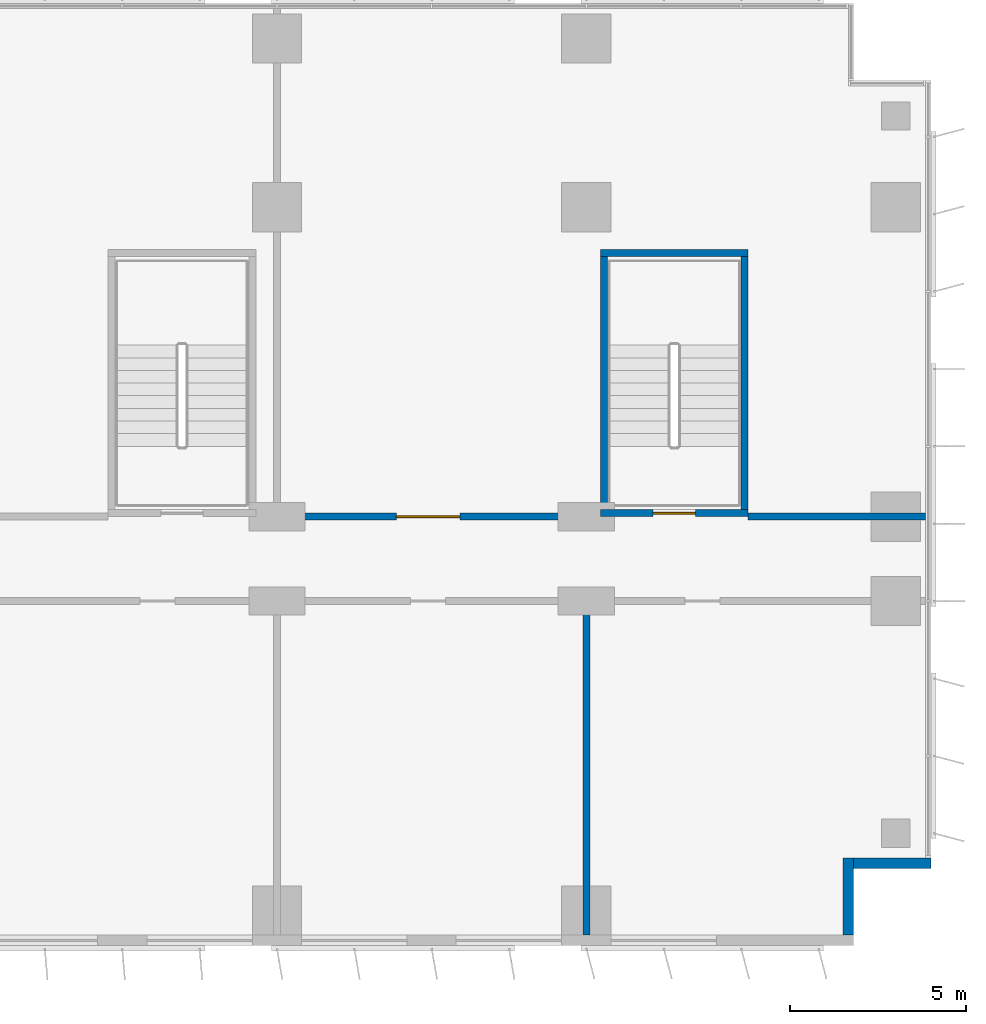
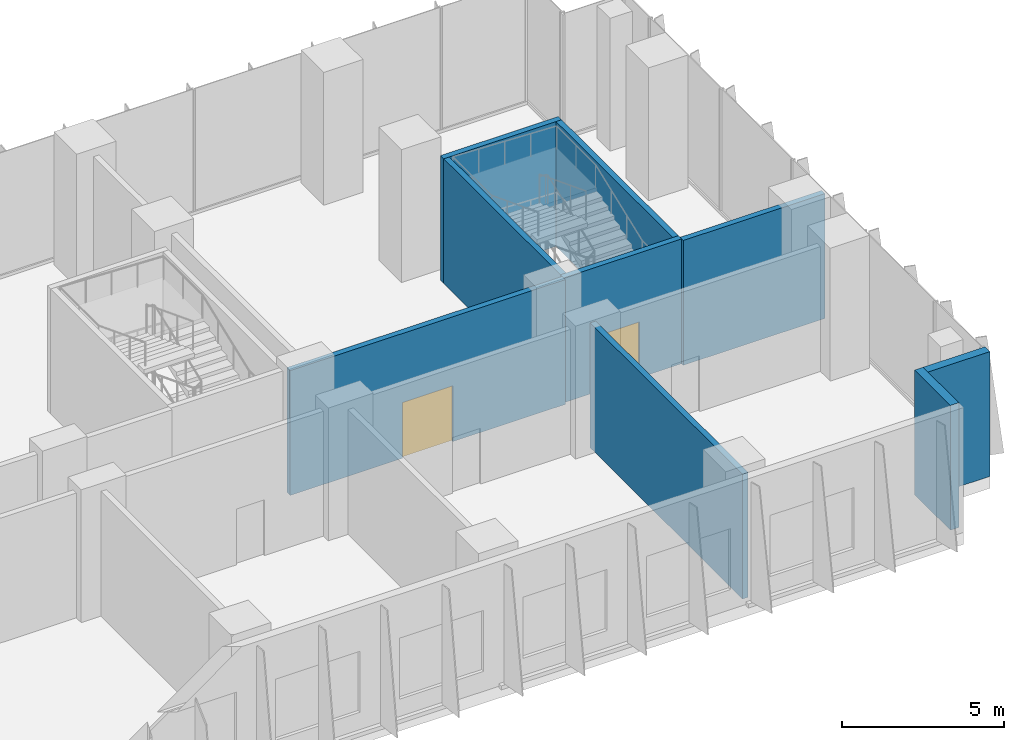
# One storey, part 15 of 23: 9 walls, 2 doors, 2 openings.
"""IFC4 building model written with IfcOpenShell, lengths in metres."""

from ifc_helpers import new_model, si_unit, direction, frame, frame_2d, origin, place, context, subcontext, project, spatial, rectangle, extrude, material, layer, layer_set, type_object, element, fill, save


model = new_model("IFC4")

# Units and contexts
model_context = context("Model", 3, precision=1e-05, world=origin(), true_north=direction((0.0, 1.0)))
body_context = subcontext(model_context, "Body", "Model", "MODEL_VIEW")
ifc_project = project(units=[si_unit("LENGTHUNIT", "METRE"), si_unit("AREAUNIT", "SQUARE_METRE"), si_unit("VOLUMEUNIT", "CUBIC_METRE"), si_unit("PLANEANGLEUNIT", "RADIAN"), si_unit("MASSUNIT", "GRAM", prefix="KILO")], contexts=[model_context])

# Site, building, storey
site_placement = place(None, origin())
site = spatial("IfcSite", under=ifc_project, at=site_placement, CompositionType="ELEMENT")
building_placement = place(site_placement, origin())
building = spatial("IfcBuilding", under=site, at=building_placement, Name="Kemantara Hotel Tower", CompositionType="ELEMENT")
storey_placement = place(building_placement, frame((0.0, 0.0, 71.0)))
storey = spatial("IfcBuildingStorey", under=building, at=storey_placement, Name="L16", CompositionType="ELEMENT", Elevation=71.0)

# Walls
ifc_material_1 = material(Name="Bronze anodised aluminium cladding on insulated steel stud wall", Category="steel")
ifc_layer_1 = layer(ifc_material_1, 0.300048828125)
ifc_layer_set_1 = layer_set([ifc_layer_1], Name="Bronze anodised aluminium cladding on insulated steel stud wall")
wall_type_1 = type_object("IfcWallType", Name="BRONZE METAL-CLAD EXTERNAL WALL 300", PredefinedType="STANDARD", material=ifc_layer_set_1)
for number, where, z_axis, x_axis, name in (
    (1, (78.85009765625, 0.300048828125, 0.0), (0.0, 0.0, 1.0), (0.0, 1.0, 0.0), "EXTERNAL WALL L16 T1-R02"),
    (2, (79.0, 2.35009765625, 0.0), (0.0, 0.0, 1.0), (1.0, 0.0, 0.0), "EXTERNAL WALL L16 T1-R03"),
):
    element("IfcWall", number, at=place(storey_placement, frame(where, z_axis=z_axis, x_axis=x_axis)), inside=storey, type_object=wall_type_1, Name=name, PredefinedType="STANDARD", context=body_context, shape_type="SweptSolid", body=[
        extrude(rectangle(XDim=2.199951171875, YDim=0.300048828125, at=frame_2d((1.10009765625, 0.0))), origin(), (0.0, 0.0, 1.0), 4.699951171875),
    ])

# Wall, opening, door
ifc_material_2 = material(Name="Concrete fc 40 MPa", Category="concrete")
ifc_layer_2 = layer(ifc_material_2, 0.199951171875)
ifc_layer_set_2 = layer_set([ifc_layer_2], Name="Concrete fc 40 MPa")
wall_type_2 = type_object("IfcWallType", Name="Concrete stair wall 200 mm", PredefinedType="SHEAR", material=ifc_layer_set_2)
wall_1_placement = place(storey_placement, frame((71.800048828125, 12.300048828125, 0.0), z_axis=(0.0, 0.0, 1.0), x_axis=(1.0, 0.0, 0.0)))
wall_1 = element("IfcWall", 3, at=wall_1_placement, inside=storey, type_object=wall_type_2, Name="Stair ST5 enclosure wall with door", PredefinedType="SHEAR", context=body_context, shape_type="SweptSolid", body=[
    extrude(rectangle(XDim=4.199951171875, YDim=0.199951171875, at=frame_2d((2.10009765625, 0.0))), origin(), (0.0, 0.0, 1.0), 4.699951171875),
])
opening_1_placement = place(wall_1_placement, frame((1.5, 0.0, 0.0)))
opening_1 = element("IfcOpeningElement", 4, at=opening_1_placement, cuts=wall_1, Name="Opening ST5-C", PredefinedType="OPENING", context=body_context, shape_type="SweptSolid", body=[
    extrude(rectangle(XDim=1.199951171875, YDim=2.10009765625, at=frame_2d((0.60009765625, 1.050048828125))), frame((0.0, 0.10986328125, 0.0), z_axis=(0.0, -1.0, 0.0), x_axis=(1.0, 0.0, 0.0)), (0.0, 0.0, 1.0), 0.219970703125),
])
ifc_material_3 = material(Name="Steel fire door", Category="steel")
door_type_1 = type_object("IfcDoorType", Name="Fire door FD90 1200 x 2100", OperationType="NOTDEFINED", PredefinedType="DOOR", material=ifc_material_3)
door_1_placement = place(opening_1_placement, origin())
door_1 = element("IfcDoor", 5, at=door_1_placement, inside=storey, type_object=door_type_1, Name="Stair ST5 door", OperationType="SINGLE_SWING_RIGHT", OverallHeight=2.10009765625, OverallWidth=1.199951171875, PredefinedType="DOOR", context=body_context, shape_type="SweptSolid", body=[
    extrude(rectangle(XDim=1.199951171875, YDim=2.10009765625, at=frame_2d((0.60009765625, 1.050048828125))), frame((0.0, 0.02490234375, 0.0), z_axis=(0.0, -1.0, 0.0), x_axis=(1.0, 0.0, 0.0)), (0.0, 0.0, 1.0), 0.050048828125),
])
fill(opening_1, door_1)

# Walls
wall_2_placement = place(storey_placement, frame((71.800048828125, 19.699951171875, 0.0), z_axis=(0.0, 0.0, 1.0), x_axis=(1.0, 0.0, 0.0)))
element("IfcWall", 6, at=wall_2_placement, inside=storey, type_object=wall_type_2, Name="Stair ST5 enclosure wall N", PredefinedType="SHEAR", context=body_context, shape_type="SweptSolid", body=[
    extrude(rectangle(XDim=4.199951171875, YDim=0.199951171875, at=frame_2d((2.10009765625, 0.0))), origin(), (0.0, 0.0, 1.0), 4.699951171875),
])
for number, where, z_axis, x_axis, name in (
    (7, (71.89990234375, 12.39990234375, 0.0), (0.0, 0.0, 1.0), (0.0, 1.0, 0.0), "Stair ST5 enclosure wall W"),
    (8, (75.89990234375, 12.39990234375, 0.0), (0.0, 0.0, 1.0), (0.0, 1.0, 0.0), "Stair ST5 enclosure wall E"),
):
    element("IfcWall", number, at=place(storey_placement, frame(where, z_axis=z_axis, x_axis=x_axis)), inside=storey, type_object=wall_type_2, Name=name, PredefinedType="SHEAR", context=body_context, shape_type="SweptSolid", body=[
        extrude(rectangle(XDim=7.2001953125, YDim=0.199951171875, at=frame_2d((3.60009765625, 0.0))), origin(), (0.0, 0.0, 1.0), 4.699951171875),
    ])
ifc_material_4 = material(Name="Clay brick masonry", Category="masonry")
ifc_layer_3 = layer(ifc_material_4, 0.199951171875)
ifc_layer_set_3 = layer_set([ifc_layer_3], Name="Clay brick masonry")
wall_type_3 = type_object("IfcWallType", Name="FIRE-RATED CLAY BRICK WALL 200 EI 120", PredefinedType="PARTITIONING", material=ifc_layer_set_3)
wall_3_placement = place(storey_placement, frame((71.39990234375, 0.300048828125, 0.0), z_axis=(0.0, 0.0, 1.0), x_axis=(0.0, 1.0, 0.0)))
element("IfcWall", 9, at=wall_3_placement, inside=storey, type_object=wall_type_3, Name="FIRE WALL", PredefinedType="PARTITIONING", context=body_context, shape_type="SweptSolid", body=[
    extrude(rectangle(XDim=9.39990234375, YDim=0.199951171875, at=frame_2d((4.699951171875, 0.0))), origin(), (0.0, 0.0, 1.0), 4.699951171875),
])

# Wall, opening, door
ifc_material_5 = material(Name="Fire-rated gypsum board partition")
ifc_layer_4 = layer(ifc_material_5, 0.199951171875)
ifc_layer_set_4 = layer_set([ifc_layer_4], Name="Fire-rated gypsum board partition")
wall_type_4 = type_object("IfcWallType", Name="FIRE-RATED GYPSUM PARTITION 200 EI 60", PredefinedType="PARTITIONING", material=ifc_layer_set_4)
wall_4_placement = place(storey_placement, frame((62.0, 12.199951171875, 0.0), z_axis=(0.0, 0.0, 1.0), x_axis=(1.0, 0.0, 0.0)))
wall_4 = element("IfcWall", 10, at=wall_4_placement, inside=storey, type_object=wall_type_4, Name="FIRE-RATED PARTITION", PredefinedType="PARTITIONING", context=body_context, shape_type="SweptSolid", body=[
    extrude(rectangle(XDim=9.800048828125, YDim=0.199951171875, at=frame_2d((4.89990234375, 0.0))), origin(), (0.0, 0.0, 1.0), 4.699951171875),
])
opening_2_placement = place(wall_4_placement, frame((4.0, 0.0, 0.0)))
opening_2 = element("IfcOpeningElement", 11, at=opening_2_placement, cuts=wall_4, Name="Opening L16-B007", PredefinedType="OPENING", context=body_context, shape_type="SweptSolid", body=[
    extrude(rectangle(XDim=1.800048828125, YDim=2.10009765625, at=frame_2d((0.89990234375, 1.050048828125))), frame((0.0, 0.10986328125, 0.0), z_axis=(0.0, -1.0, 0.0), x_axis=(1.0, 0.0, 0.0)), (0.0, 0.0, 1.0), 0.219970703125),
])
ifc_material_6 = material(Name="Galvanised steel door leaf", Category="steel")
door_type_2 = type_object("IfcDoorType", Name="FIRE-RATED STEEL DOOR DOUBLE LEAF 1800 X 2100", OperationType="DOUBLE_DOOR_SINGLE_SWING", PredefinedType="DOOR", material=ifc_material_6)
door_2_placement = place(opening_2_placement, frame((1.800048828125, 0.0, 0.0), z_axis=(0.0, 0.0, 1.0), x_axis=(-1.0, 0.0, 0.0)))
door_2 = element("IfcDoor", 12, at=door_2_placement, inside=storey, type_object=door_type_2, Name="FIRE-RATED STEEL DOOR DOUBLE LEAF", OperationType="DOUBLE_DOOR_SINGLE_SWING", OverallHeight=2.10009765625, OverallWidth=1.800048828125, PredefinedType="DOOR", context=body_context, shape_type="SweptSolid", body=[
    extrude(rectangle(XDim=1.800048828125, YDim=2.10009765625, at=frame_2d((0.89990234375, 1.050048828125))), frame((0.0, 0.02490234375, 0.0), z_axis=(0.0, -1.0, 0.0), x_axis=(1.0, 0.0, 0.0)), (0.0, 0.0, 1.0), 0.050048828125),
])
fill(opening_2, door_2)

# Wall
wall_5_placement = place(storey_placement, frame((76.0, 12.199951171875, 0.0), z_axis=(0.0, 0.0, 1.0), x_axis=(1.0, 0.0, 0.0)))
element("IfcWall", 13, at=wall_5_placement, inside=storey, type_object=wall_type_4, Name="FIRE-RATED PARTITION", PredefinedType="PARTITIONING", context=body_context, shape_type="SweptSolid", body=[
    extrude(rectangle(XDim=5.050048828125, YDim=0.199951171875, at=frame_2d((2.52490234375, 0.0))), origin(), (0.0, 0.0, 1.0), 4.699951171875),
])

save(model, "model.ifc")
